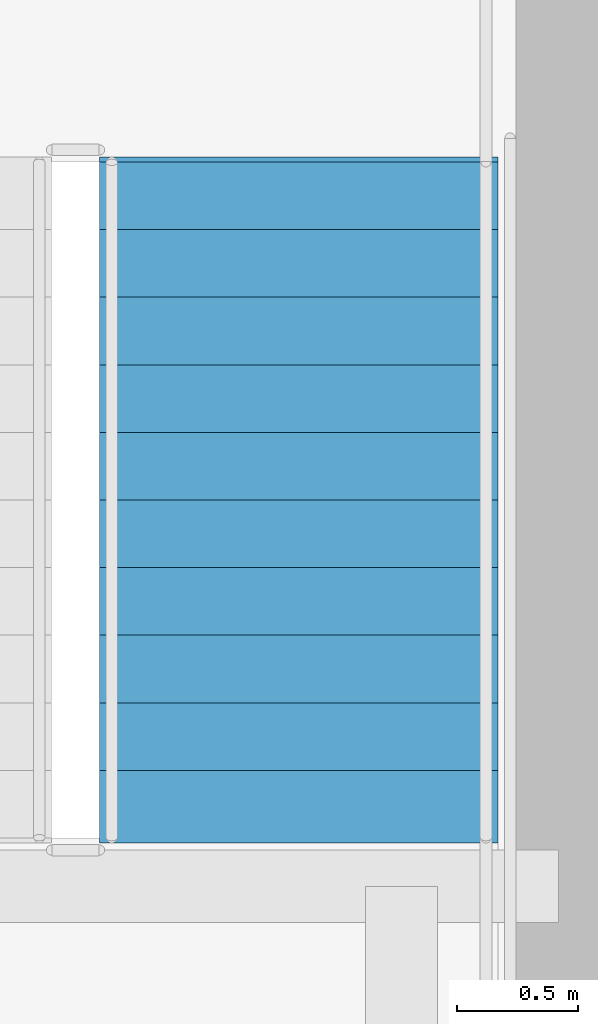
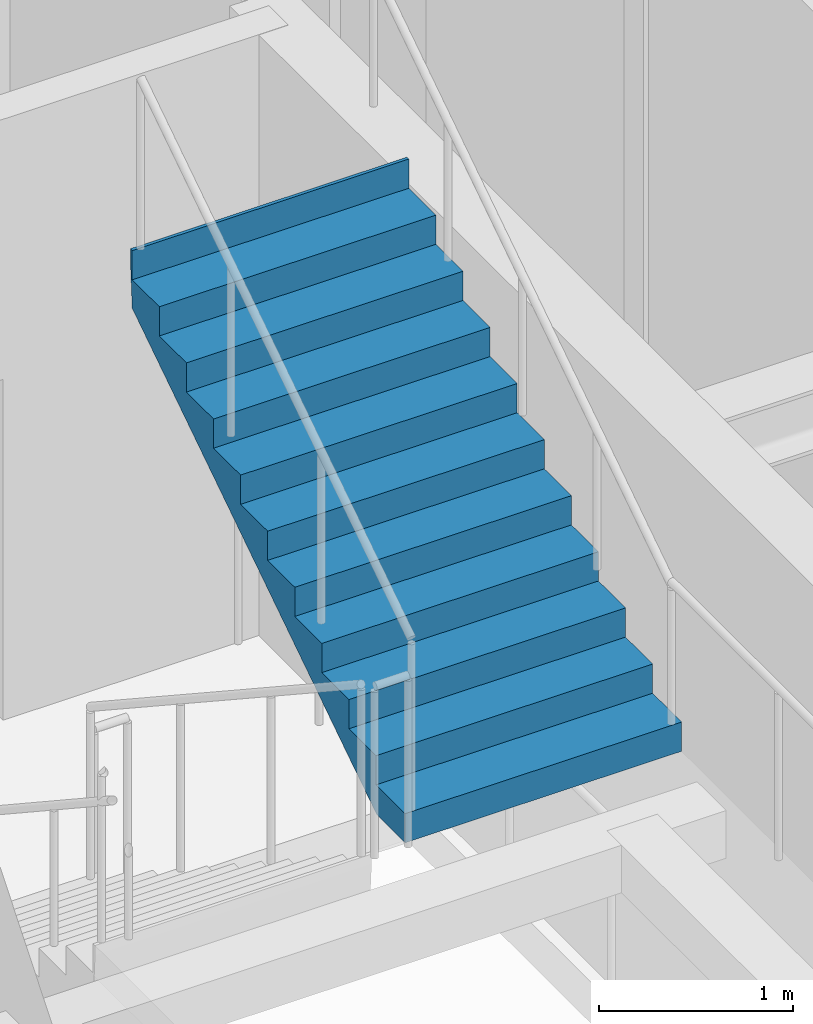
# One storey, part 34 of 39: 1 stair flight, 1 element without a shape of its own.
"""IFC4 building model written with IfcOpenShell, lengths in metres."""

from ifc_helpers import new_model, si_unit, direction, frame, origin, place, context, subcontext, project, spatial, polygons, material, type_object, element, aggregate, save


model = new_model("IFC4")

# Units and contexts
model_context = context("Model", 3, precision=1e-05, world=origin(), true_north=direction((0.0, 1.0)))
body_context = subcontext(model_context, "Body", "Model", "MODEL_VIEW")
ifc_project = project(units=[si_unit("LENGTHUNIT", "METRE"), si_unit("AREAUNIT", "SQUARE_METRE"), si_unit("VOLUMEUNIT", "CUBIC_METRE"), si_unit("PLANEANGLEUNIT", "RADIAN"), si_unit("MASSUNIT", "GRAM", prefix="KILO")], contexts=[model_context])

# Site, building, storey
site_placement = place(None, origin())
site = spatial("IfcSite", under=ifc_project, at=site_placement, CompositionType="ELEMENT")
building_placement = place(site_placement, origin())
building = spatial("IfcBuilding", under=site, at=building_placement, Name="Serunith Strait Residences", CompositionType="ELEMENT")
storey_placement = place(building_placement, frame((0.0, 0.0, 329.89990234375)))
storey = spatial("IfcBuildingStorey", under=building, at=storey_placement, Name="L82", CompositionType="ELEMENT", Elevation=329.89990234375)

# Stair, stair flight
ifc_material = material(Name="Concrete C50/60", Category="concrete")
stair_type = type_object("IfcStairType", Name="STR-CORE-2", PredefinedType="HALF_TURN_STAIR", material=ifc_material)
stair_placement = place(storey_placement, origin())
stair = element("IfcStair", 1, at=stair_placement, inside=storey, type_object=stair_type, Name="L82 Protected Escape Stair ST-2", PredefinedType="HALF_TURN_STAIR")
stair_flight_type = type_object("IfcStairFlightType", Name="FLT-CORE-2", PredefinedType="STRAIGHT", material=ifc_material)
stair_flight_placement = place(storey_placement, frame((40.324951171875, 20.570068359375, 2.025146484375), z_axis=(0.0, 0.0, 1.0), x_axis=(0.0, 1.0, 0.0)))
stair_flight = element("IfcStairFlight", 2, at=stair_flight_placement, type_object=stair_flight_type, Name="ST-2 flight 2", NumberOfRisers=11, NumberOfTreads=10, PredefinedType="STRAIGHT", RiserHeight=0.184090909, TreadLength=0.28, context=body_context, shape_type="Tessellation", body=[
    polygons([(-0.02001953125, -0.824951171875, 0.0), (-0.02001953125, -0.824951171875, 0.18408203125), (0.280029296875, -0.824951171875, 0.18408203125), (0.280029296875, -0.824951171875, 0.3681640625), (0.56005859375, -0.824951171875, 0.3681640625), (0.56005859375, -0.824951171875, 0.55224609375), (0.840087890625, -0.824951171875, 0.55224609375), (0.840087890625, -0.824951171875, 0.736328125), (1.1201171875, -0.824951171875, 0.736328125), (1.1201171875, -0.824951171875, 0.92041015625), (1.39990234375, -0.824951171875, 0.92041015625), (1.39990234375, -0.824951171875, 1.1044921875), (1.679931640625, -0.824951171875, 1.1044921875), (1.679931640625, -0.824951171875, 1.28857421875), (1.9599609375, -0.824951171875, 1.28857421875), (1.9599609375, -0.824951171875, 1.47265625), (2.239990234375, -0.824951171875, 1.47265625), (2.239990234375, -0.824951171875, 1.65673828125), (2.52001953125, -0.824951171875, 1.65673828125), (2.52001953125, -0.824951171875, 1.8408203125), (2.800048828125, -0.824951171875, 1.8408203125), (2.800048828125, -0.824951171875, 2.02490234375), (2.820068359375, -0.824951171875, 2.02490234375), (2.820068359375, -0.824951171875, 1.965087890625), (2.800048828125, -0.824951171875, 1.66162109375), (0.27294921875, -0.824951171875, 0.0), (-0.02001953125, -0.41259765625, 0.0), (-0.02001953125, -0.41259765625, 0.18408203125), (0.280029296875, -0.41259765625, 0.18408203125), (0.280029296875, -0.41259765625, 0.3681640625), (0.56005859375, -0.41259765625, 0.3681640625), (0.56005859375, -0.41259765625, 0.55224609375), (0.840087890625, -0.41259765625, 0.55224609375), (0.840087890625, -0.41259765625, 0.736328125), (1.1201171875, -0.41259765625, 0.736328125), (1.1201171875, -0.41259765625, 0.92041015625), (1.39990234375, -0.41259765625, 0.92041015625), (1.39990234375, -0.41259765625, 1.1044921875), (1.679931640625, -0.41259765625, 1.1044921875), (1.679931640625, -0.41259765625, 1.28857421875), (1.9599609375, -0.41259765625, 1.28857421875), (1.9599609375, -0.41259765625, 1.47265625), (2.239990234375, -0.41259765625, 1.47265625), (2.239990234375, -0.41259765625, 1.65673828125), (2.52001953125, -0.41259765625, 1.65673828125), (2.52001953125, -0.41259765625, 1.8408203125), (2.800048828125, -0.41259765625, 1.8408203125), (2.800048828125, -0.41259765625, 2.02490234375), (2.820068359375, -0.41259765625, 2.02490234375), (2.820068359375, -0.41259765625, 1.965087890625), (2.800048828125, -0.41259765625, 1.66162109375), (0.27294921875, -0.41259765625, 0.0), (-0.02001953125, 0.0, 0.0), (-0.02001953125, 0.0, 0.18408203125), (0.280029296875, 0.0, 0.18408203125), (0.280029296875, 0.0, 0.3681640625), (0.56005859375, 0.0, 0.3681640625), (0.56005859375, 0.0, 0.55224609375), (0.840087890625, 0.0, 0.55224609375), (0.840087890625, 0.0, 0.736328125), (1.1201171875, 0.0, 0.736328125), (1.1201171875, 0.0, 0.92041015625), (1.39990234375, 0.0, 0.92041015625), (1.39990234375, 0.0, 1.1044921875), (1.679931640625, 0.0, 1.1044921875), (1.679931640625, 0.0, 1.28857421875), (1.9599609375, 0.0, 1.28857421875), (1.9599609375, 0.0, 1.47265625), (2.239990234375, 0.0, 1.47265625), (2.239990234375, 0.0, 1.65673828125), (2.52001953125, 0.0, 1.65673828125), (2.52001953125, 0.0, 1.8408203125), (2.800048828125, 0.0, 1.8408203125), (2.800048828125, 0.0, 2.02490234375), (2.820068359375, 0.0, 2.02490234375), (2.820068359375, 0.0, 1.965087890625), (2.800048828125, 0.0, 1.66162109375), (0.27294921875, 0.0, 0.0), (-0.02001953125, 0.41259765625, 0.0), (-0.02001953125, 0.41259765625, 0.18408203125), (0.280029296875, 0.41259765625, 0.18408203125), (0.280029296875, 0.41259765625, 0.3681640625), (0.56005859375, 0.41259765625, 0.3681640625), (0.56005859375, 0.41259765625, 0.55224609375), (0.840087890625, 0.41259765625, 0.55224609375), (0.840087890625, 0.41259765625, 0.736328125), (1.1201171875, 0.41259765625, 0.736328125), (1.1201171875, 0.41259765625, 0.92041015625), (1.39990234375, 0.41259765625, 0.92041015625), (1.39990234375, 0.41259765625, 1.1044921875), (1.679931640625, 0.41259765625, 1.1044921875), (1.679931640625, 0.41259765625, 1.28857421875), (1.9599609375, 0.41259765625, 1.28857421875), (1.9599609375, 0.41259765625, 1.47265625), (2.239990234375, 0.41259765625, 1.47265625), (2.239990234375, 0.41259765625, 1.65673828125), (2.52001953125, 0.41259765625, 1.65673828125), (2.52001953125, 0.41259765625, 1.8408203125), (2.800048828125, 0.41259765625, 1.8408203125), (2.800048828125, 0.41259765625, 2.02490234375), (2.820068359375, 0.41259765625, 2.02490234375), (2.820068359375, 0.41259765625, 1.965087890625), (2.800048828125, 0.41259765625, 1.66162109375), (0.27294921875, 0.41259765625, 0.0), (-0.02001953125, 0.824951171875, 0.0), (-0.02001953125, 0.824951171875, 0.18408203125), (0.280029296875, 0.824951171875, 0.18408203125), (0.280029296875, 0.824951171875, 0.3681640625), (0.56005859375, 0.824951171875, 0.3681640625), (0.56005859375, 0.824951171875, 0.55224609375), (0.840087890625, 0.824951171875, 0.55224609375), (0.840087890625, 0.824951171875, 0.736328125), (1.1201171875, 0.824951171875, 0.736328125), (1.1201171875, 0.824951171875, 0.92041015625), (1.39990234375, 0.824951171875, 0.92041015625), (1.39990234375, 0.824951171875, 1.1044921875), (1.679931640625, 0.824951171875, 1.1044921875), (1.679931640625, 0.824951171875, 1.28857421875), (1.9599609375, 0.824951171875, 1.28857421875), (1.9599609375, 0.824951171875, 1.47265625), (2.239990234375, 0.824951171875, 1.47265625), (2.239990234375, 0.824951171875, 1.65673828125), (2.52001953125, 0.824951171875, 1.65673828125), (2.52001953125, 0.824951171875, 1.8408203125), (2.800048828125, 0.824951171875, 1.8408203125), (2.800048828125, 0.824951171875, 2.02490234375), (2.820068359375, 0.824951171875, 2.02490234375), (2.820068359375, 0.824951171875, 1.965087890625), (2.800048828125, 0.824951171875, 1.66162109375), (0.27294921875, 0.824951171875, 0.0)], [[[1, 2, 28, 27]], [[2, 3, 29, 28]], [[3, 4, 30, 29]], [[4, 5, 31, 30]], [[5, 6, 32, 31]], [[6, 7, 33, 32]], [[7, 8, 34, 33]], [[8, 9, 35, 34]], [[9, 10, 36, 35]], [[10, 11, 37, 36]], [[11, 12, 38, 37]], [[12, 13, 39, 38]], [[13, 14, 40, 39]], [[14, 15, 41, 40]], [[15, 16, 42, 41]], [[16, 17, 43, 42]], [[17, 18, 44, 43]], [[18, 19, 45, 44]], [[19, 20, 46, 45]], [[20, 21, 47, 46]], [[21, 22, 48, 47]], [[22, 23, 49, 48]], [[23, 24, 50, 49]], [[24, 25, 51, 50]], [[25, 26, 52, 51]], [[26, 1, 27, 52]], [[27, 28, 54, 53]], [[28, 29, 55, 54]], [[29, 30, 56, 55]], [[30, 31, 57, 56]], [[31, 32, 58, 57]], [[32, 33, 59, 58]], [[33, 34, 60, 59]], [[34, 35, 61, 60]], [[35, 36, 62, 61]], [[36, 37, 63, 62]], [[37, 38, 64, 63]], [[38, 39, 65, 64]], [[39, 40, 66, 65]], [[40, 41, 67, 66]], [[41, 42, 68, 67]], [[42, 43, 69, 68]], [[43, 44, 70, 69]], [[44, 45, 71, 70]], [[45, 46, 72, 71]], [[46, 47, 73, 72]], [[47, 48, 74, 73]], [[48, 49, 75, 74]], [[49, 50, 76, 75]], [[50, 51, 77, 76]], [[51, 52, 78, 77]], [[52, 27, 53, 78]], [[53, 54, 80, 79]], [[54, 55, 81, 80]], [[55, 56, 82, 81]], [[56, 57, 83, 82]], [[57, 58, 84, 83]], [[58, 59, 85, 84]], [[59, 60, 86, 85]], [[60, 61, 87, 86]], [[61, 62, 88, 87]], [[62, 63, 89, 88]], [[63, 64, 90, 89]], [[64, 65, 91, 90]], [[65, 66, 92, 91]], [[66, 67, 93, 92]], [[67, 68, 94, 93]], [[68, 69, 95, 94]], [[69, 70, 96, 95]], [[70, 71, 97, 96]], [[71, 72, 98, 97]], [[72, 73, 99, 98]], [[73, 74, 100, 99]], [[74, 75, 101, 100]], [[75, 76, 102, 101]], [[76, 77, 103, 102]], [[77, 78, 104, 103]], [[78, 53, 79, 104]], [[79, 80, 106, 105]], [[80, 81, 107, 106]], [[81, 82, 108, 107]], [[82, 83, 109, 108]], [[83, 84, 110, 109]], [[84, 85, 111, 110]], [[85, 86, 112, 111]], [[86, 87, 113, 112]], [[87, 88, 114, 113]], [[88, 89, 115, 114]], [[89, 90, 116, 115]], [[90, 91, 117, 116]], [[91, 92, 118, 117]], [[92, 93, 119, 118]], [[93, 94, 120, 119]], [[94, 95, 121, 120]], [[95, 96, 122, 121]], [[96, 97, 123, 122]], [[97, 98, 124, 123]], [[98, 99, 125, 124]], [[99, 100, 126, 125]], [[100, 101, 127, 126]], [[101, 102, 128, 127]], [[102, 103, 129, 128]], [[103, 104, 130, 129]], [[104, 79, 105, 130]], [[26, 25, 24, 23, 22, 21, 20, 19, 18, 17, 16, 15, 14, 13, 12, 11, 10, 9, 8, 7, 6, 5, 4, 3, 2, 1]], [[105, 106, 107, 108, 109, 110, 111, 112, 113, 114, 115, 116, 117, 118, 119, 120, 121, 122, 123, 124, 125, 126, 127, 128, 129, 130]]], closed=True),
])
aggregate(stair, [stair_flight])

save(model, "model.ifc")
